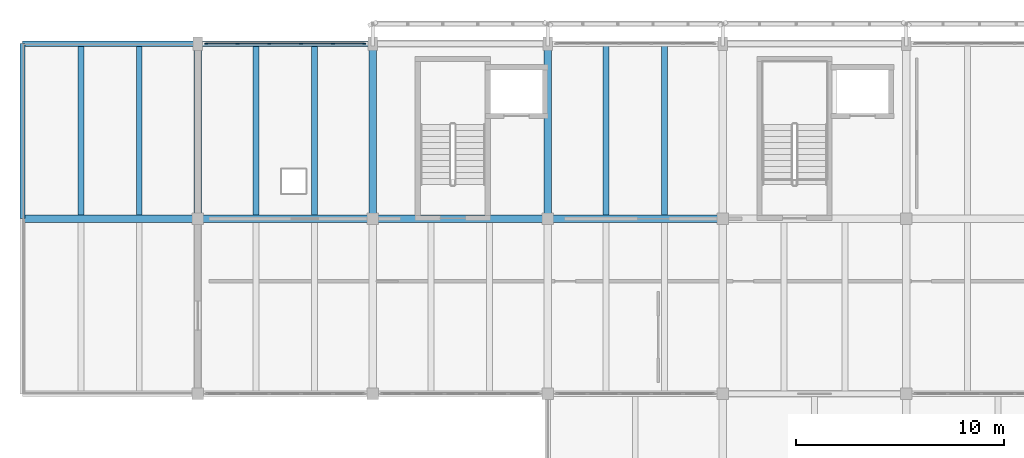
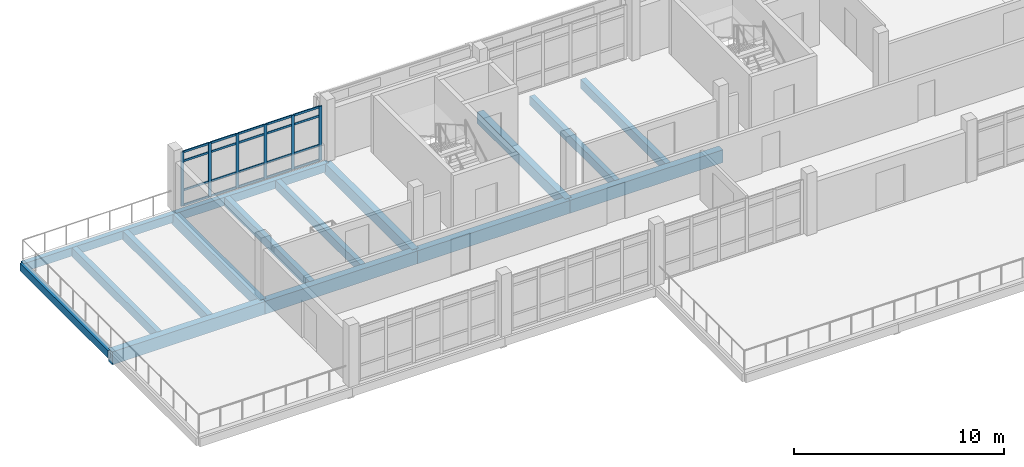
# One storey, part 5 of 30: 26 members, 16 beams, 1 element without a shape of its own.
"""IFC4 building model written with IfcOpenShell, lengths in metres."""

from ifc_helpers import new_model, si_unit, direction, frame, origin, origin_2d, place, context, subcontext, project, spatial, rectangle, extrude, material, material_profile, profile_set, type_object, element, aggregate, save


model = new_model("IFC4")

# Units and contexts
model_context = context("Model", 3, precision=1e-05, world=origin(), true_north=direction((0.0, 1.0)))
body_context = subcontext(model_context, "Body", "Model", "MODEL_VIEW")
ifc_project = project(units=[si_unit("LENGTHUNIT", "METRE"), si_unit("AREAUNIT", "SQUARE_METRE"), si_unit("VOLUMEUNIT", "CUBIC_METRE"), si_unit("PLANEANGLEUNIT", "RADIAN"), si_unit("MASSUNIT", "GRAM", prefix="KILO")], contexts=[model_context])

# Site, building, storey
site_placement = place(None, origin())
site = spatial("IfcSite", under=ifc_project, at=site_placement, CompositionType="ELEMENT")
building_placement = place(site_placement, origin())
building = spatial("IfcBuilding", under=site, at=building_placement, Name="Cinderway Yard Community Centre", CompositionType="ELEMENT")
storey_placement = place(building_placement, frame((0.0, 0.0, 16.5)))
storey = spatial("IfcBuildingStorey", under=building, at=storey_placement, Name="L04", CompositionType="ELEMENT", Elevation=16.5)

# Curtain wall, members
ifc_material_1 = material(Name="Aluminium 6063-T6", Category="aluminium")
curtain_wall_type = type_object("IfcCurtainWallType", Name="ENV-CW-TYPE-32", PredefinedType="USERDEFINED", material=ifc_material_1)
curtain_wall_placement = place(storey_placement, origin())
curtain_wall = element("IfcCurtainWall", 1, at=curtain_wall_placement, inside=storey, type_object=curtain_wall_type, Name="V4 Street Curtain Wall ENV-CW-L04-ST-0176", ObjectType="GLAZED CURTAIN WALL", PredefinedType="USERDEFINED")
ifc_material_profile_1 = material_profile(ifc_material_1, rectangle(XDim=0.06005859375, YDim=0.159912109375, at=origin_2d()), Name="Aluminium 6063-T6")
ifc_profile_set_1 = profile_set([ifc_material_profile_1], Name="Aluminium 6063-T6")
member_type_1 = type_object("IfcMemberType", Name="ENV-CW-MULL-150", PredefinedType="MULLION", material=ifc_profile_set_1)
member_1_placement = place(storey_placement, frame((50.409912109375, 115.199951171875, 0.0), z_axis=(0.0, 0.0, 1.0), x_axis=(0.0, 1.0, 0.0)))
member_1 = element("IfcMember", 2, at=member_1_placement, type_object=member_type_1, Name="CW-32 mullion 1", PredefinedType="MULLION", context=body_context, shape_type="SweptSolid", body=[
    extrude(rectangle(XDim=0.06005859375, YDim=0.159912109375, at=origin_2d()), origin(), (0.0, 0.0, 1.0), 3.14990234375),
])
member_2_placement = place(storey_placement, frame((51.907958984375, 115.199951171875, 0.0), z_axis=(0.0, 0.0, 1.0), x_axis=(0.0, 1.0, 0.0)))
member_2 = element("IfcMember", 3, at=member_2_placement, type_object=member_type_1, Name="CW-32 mullion 2", PredefinedType="MULLION", context=body_context, shape_type="SweptSolid", body=[
    extrude(rectangle(XDim=0.06005859375, YDim=0.159912109375, at=origin_2d()), origin(), (0.0, 0.0, 1.0), 3.14990234375),
])
member_3_placement = place(storey_placement, frame((53.43603515625, 115.199951171875, 0.0), z_axis=(0.0, 0.0, 1.0), x_axis=(0.0, 1.0, 0.0)))
member_3 = element("IfcMember", 4, at=member_3_placement, type_object=member_type_1, Name="CW-32 mullion 3", PredefinedType="MULLION", context=body_context, shape_type="SweptSolid", body=[
    extrude(rectangle(XDim=0.06005859375, YDim=0.159912109375, at=origin_2d()), origin(), (0.0, 0.0, 1.0), 3.14990234375),
])
member_4_placement = place(storey_placement, frame((54.964111328125, 115.199951171875, 0.0), z_axis=(0.0, 0.0, 1.0), x_axis=(0.0, 1.0, 0.0)))
member_4 = element("IfcMember", 5, at=member_4_placement, type_object=member_type_1, Name="CW-32 mullion 4", PredefinedType="MULLION", context=body_context, shape_type="SweptSolid", body=[
    extrude(rectangle(XDim=0.06005859375, YDim=0.159912109375, at=origin_2d()), origin(), (0.0, 0.0, 1.0), 3.14990234375),
])
member_5_placement = place(storey_placement, frame((56.491943359375, 115.199951171875, 0.0), z_axis=(0.0, 0.0, 1.0), x_axis=(0.0, 1.0, 0.0)))
member_5 = element("IfcMember", 6, at=member_5_placement, type_object=member_type_1, Name="CW-32 mullion 5", PredefinedType="MULLION", context=body_context, shape_type="SweptSolid", body=[
    extrude(rectangle(XDim=0.06005859375, YDim=0.159912109375, at=origin_2d()), origin(), (0.0, 0.0, 1.0), 3.14990234375),
])
member_6_placement = place(storey_placement, frame((57.989990234375, 115.199951171875, 0.0), z_axis=(0.0, 0.0, 1.0), x_axis=(0.0, 1.0, 0.0)))
member_6 = element("IfcMember", 7, at=member_6_placement, type_object=member_type_1, Name="CW-32 mullion 6", PredefinedType="MULLION", context=body_context, shape_type="SweptSolid", body=[
    extrude(rectangle(XDim=0.06005859375, YDim=0.159912109375, at=origin_2d()), origin(), (0.0, 0.0, 1.0), 3.14990234375),
])
ifc_material_profile_2 = material_profile(ifc_material_1, rectangle(XDim=0.06005859375, YDim=0.1201171875, at=origin_2d()), Name="Aluminium 6063-T6")
ifc_profile_set_2 = profile_set([ifc_material_profile_2], Name="Aluminium 6063-T6")
member_type_2 = type_object("IfcMemberType", Name="ENV-CW-TRAN-110", PredefinedType="USERDEFINED", material=ifc_profile_set_2)
member_7_placement = place(storey_placement, frame((50.43994140625, 115.199951171875, 0.030029296875), z_axis=(1.0, 0.0, 0.0), x_axis=(0.0, 1.0, 0.0)))
member_7 = element("IfcMember", 8, at=member_7_placement, type_object=member_type_2, Name="CW-32 transom 1.1", ObjectType="TRANSOM", PredefinedType="USERDEFINED", context=body_context, shape_type="SweptSolid", body=[
    extrude(rectangle(XDim=0.06005859375, YDim=0.1201171875, at=origin_2d()), origin(), (0.0, 0.0, 1.0), 1.43798828125),
])
member_8_placement = place(storey_placement, frame((50.43994140625, 115.199951171875, 0.89990234375), z_axis=(1.0, 0.0, 0.0), x_axis=(0.0, 1.0, 0.0)))
member_8 = element("IfcMember", 9, at=member_8_placement, type_object=member_type_2, Name="CW-32 transom 1.2", ObjectType="TRANSOM", PredefinedType="USERDEFINED", context=body_context, shape_type="SweptSolid", body=[
    extrude(rectangle(XDim=0.06005859375, YDim=0.1201171875, at=origin_2d()), origin(), (0.0, 0.0, 1.0), 1.43798828125),
])
member_9_placement = place(storey_placement, frame((50.43994140625, 115.199951171875, 2.60009765625), z_axis=(1.0, 0.0, 0.0), x_axis=(0.0, 1.0, 0.0)))
member_9 = element("IfcMember", 10, at=member_9_placement, type_object=member_type_2, Name="CW-32 transom 1.3", ObjectType="TRANSOM", PredefinedType="USERDEFINED", context=body_context, shape_type="SweptSolid", body=[
    extrude(rectangle(XDim=0.06005859375, YDim=0.1201171875, at=origin_2d()), origin(), (0.0, 0.0, 1.0), 1.43798828125),
])
member_10_placement = place(storey_placement, frame((50.43994140625, 115.199951171875, 3.1201171875), z_axis=(1.0, 0.0, 0.0), x_axis=(0.0, 1.0, 0.0)))
member_10 = element("IfcMember", 11, at=member_10_placement, type_object=member_type_2, Name="CW-32 transom 1.4", ObjectType="TRANSOM", PredefinedType="USERDEFINED", context=body_context, shape_type="SweptSolid", body=[
    extrude(rectangle(XDim=0.06005859375, YDim=0.1201171875, at=origin_2d()), origin(), (0.0, 0.0, 1.0), 1.43798828125),
])
member_11_placement = place(storey_placement, frame((51.93798828125, 115.199951171875, 0.030029296875), z_axis=(1.0, 0.0, 0.0), x_axis=(0.0, 1.0, 0.0)))
member_11 = element("IfcMember", 12, at=member_11_placement, type_object=member_type_2, Name="CW-32 transom 2.1", ObjectType="TRANSOM", PredefinedType="USERDEFINED", context=body_context, shape_type="SweptSolid", body=[
    extrude(rectangle(XDim=0.06005859375, YDim=0.1201171875, at=origin_2d()), origin(), (0.0, 0.0, 1.0), 1.468017578125),
])
member_12_placement = place(storey_placement, frame((51.93798828125, 115.199951171875, 0.89990234375), z_axis=(1.0, 0.0, 0.0), x_axis=(0.0, 1.0, 0.0)))
member_12 = element("IfcMember", 13, at=member_12_placement, type_object=member_type_2, Name="CW-32 transom 2.2", ObjectType="TRANSOM", PredefinedType="USERDEFINED", context=body_context, shape_type="SweptSolid", body=[
    extrude(rectangle(XDim=0.06005859375, YDim=0.1201171875, at=origin_2d()), origin(), (0.0, 0.0, 1.0), 1.468017578125),
])
member_13_placement = place(storey_placement, frame((51.93798828125, 115.199951171875, 2.60009765625), z_axis=(1.0, 0.0, 0.0), x_axis=(0.0, 1.0, 0.0)))
member_13 = element("IfcMember", 14, at=member_13_placement, type_object=member_type_2, Name="CW-32 transom 2.3", ObjectType="TRANSOM", PredefinedType="USERDEFINED", context=body_context, shape_type="SweptSolid", body=[
    extrude(rectangle(XDim=0.06005859375, YDim=0.1201171875, at=origin_2d()), origin(), (0.0, 0.0, 1.0), 1.468017578125),
])
member_14_placement = place(storey_placement, frame((51.93798828125, 115.199951171875, 3.1201171875), z_axis=(1.0, 0.0, 0.0), x_axis=(0.0, 1.0, 0.0)))
member_14 = element("IfcMember", 15, at=member_14_placement, type_object=member_type_2, Name="CW-32 transom 2.4", ObjectType="TRANSOM", PredefinedType="USERDEFINED", context=body_context, shape_type="SweptSolid", body=[
    extrude(rectangle(XDim=0.06005859375, YDim=0.1201171875, at=origin_2d()), origin(), (0.0, 0.0, 1.0), 1.468017578125),
])
member_15_placement = place(storey_placement, frame((53.466064453125, 115.199951171875, 0.030029296875), z_axis=(1.0, 0.0, 0.0), x_axis=(0.0, 1.0, 0.0)))
member_15 = element("IfcMember", 16, at=member_15_placement, type_object=member_type_2, Name="CW-32 transom 3.1", ObjectType="TRANSOM", PredefinedType="USERDEFINED", context=body_context, shape_type="SweptSolid", body=[
    extrude(rectangle(XDim=0.06005859375, YDim=0.1201171875, at=origin_2d()), origin(), (0.0, 0.0, 1.0), 1.468017578125),
])
member_16_placement = place(storey_placement, frame((53.466064453125, 115.199951171875, 0.89990234375), z_axis=(1.0, 0.0, 0.0), x_axis=(0.0, 1.0, 0.0)))
member_16 = element("IfcMember", 17, at=member_16_placement, type_object=member_type_2, Name="CW-32 transom 3.2", ObjectType="TRANSOM", PredefinedType="USERDEFINED", context=body_context, shape_type="SweptSolid", body=[
    extrude(rectangle(XDim=0.06005859375, YDim=0.1201171875, at=origin_2d()), origin(), (0.0, 0.0, 1.0), 1.468017578125),
])
member_17_placement = place(storey_placement, frame((53.466064453125, 115.199951171875, 2.60009765625), z_axis=(1.0, 0.0, 0.0), x_axis=(0.0, 1.0, 0.0)))
member_17 = element("IfcMember", 18, at=member_17_placement, type_object=member_type_2, Name="CW-32 transom 3.3", ObjectType="TRANSOM", PredefinedType="USERDEFINED", context=body_context, shape_type="SweptSolid", body=[
    extrude(rectangle(XDim=0.06005859375, YDim=0.1201171875, at=origin_2d()), origin(), (0.0, 0.0, 1.0), 1.468017578125),
])
member_18_placement = place(storey_placement, frame((53.466064453125, 115.199951171875, 3.1201171875), z_axis=(1.0, 0.0, 0.0), x_axis=(0.0, 1.0, 0.0)))
member_18 = element("IfcMember", 19, at=member_18_placement, type_object=member_type_2, Name="CW-32 transom 3.4", ObjectType="TRANSOM", PredefinedType="USERDEFINED", context=body_context, shape_type="SweptSolid", body=[
    extrude(rectangle(XDim=0.06005859375, YDim=0.1201171875, at=origin_2d()), origin(), (0.0, 0.0, 1.0), 1.468017578125),
])
member_19_placement = place(storey_placement, frame((54.993896484375, 115.199951171875, 0.030029296875), z_axis=(1.0, 0.0, 0.0), x_axis=(0.0, 1.0, 0.0)))
member_19 = element("IfcMember", 20, at=member_19_placement, type_object=member_type_2, Name="CW-32 transom 4.1", ObjectType="TRANSOM", PredefinedType="USERDEFINED", context=body_context, shape_type="SweptSolid", body=[
    extrude(rectangle(XDim=0.06005859375, YDim=0.1201171875, at=origin_2d()), origin(), (0.0, 0.0, 1.0), 1.468017578125),
])
member_20_placement = place(storey_placement, frame((54.993896484375, 115.199951171875, 0.89990234375), z_axis=(1.0, 0.0, 0.0), x_axis=(0.0, 1.0, 0.0)))
member_20 = element("IfcMember", 21, at=member_20_placement, type_object=member_type_2, Name="CW-32 transom 4.2", ObjectType="TRANSOM", PredefinedType="USERDEFINED", context=body_context, shape_type="SweptSolid", body=[
    extrude(rectangle(XDim=0.06005859375, YDim=0.1201171875, at=origin_2d()), origin(), (0.0, 0.0, 1.0), 1.468017578125),
])
member_21_placement = place(storey_placement, frame((54.993896484375, 115.199951171875, 2.60009765625), z_axis=(1.0, 0.0, 0.0), x_axis=(0.0, 1.0, 0.0)))
member_21 = element("IfcMember", 22, at=member_21_placement, type_object=member_type_2, Name="CW-32 transom 4.3", ObjectType="TRANSOM", PredefinedType="USERDEFINED", context=body_context, shape_type="SweptSolid", body=[
    extrude(rectangle(XDim=0.06005859375, YDim=0.1201171875, at=origin_2d()), origin(), (0.0, 0.0, 1.0), 1.468017578125),
])
member_22_placement = place(storey_placement, frame((54.993896484375, 115.199951171875, 3.1201171875), z_axis=(1.0, 0.0, 0.0), x_axis=(0.0, 1.0, 0.0)))
member_22 = element("IfcMember", 23, at=member_22_placement, type_object=member_type_2, Name="CW-32 transom 4.4", ObjectType="TRANSOM", PredefinedType="USERDEFINED", context=body_context, shape_type="SweptSolid", body=[
    extrude(rectangle(XDim=0.06005859375, YDim=0.1201171875, at=origin_2d()), origin(), (0.0, 0.0, 1.0), 1.468017578125),
])
member_23_placement = place(storey_placement, frame((56.52197265625, 115.199951171875, 0.030029296875), z_axis=(1.0, 0.0, 0.0), x_axis=(0.0, 1.0, 0.0)))
member_23 = element("IfcMember", 24, at=member_23_placement, type_object=member_type_2, Name="CW-32 transom 5.1", ObjectType="TRANSOM", PredefinedType="USERDEFINED", context=body_context, shape_type="SweptSolid", body=[
    extrude(rectangle(XDim=0.06005859375, YDim=0.1201171875, at=origin_2d()), origin(), (0.0, 0.0, 1.0), 1.43798828125),
])
member_24_placement = place(storey_placement, frame((56.52197265625, 115.199951171875, 0.89990234375), z_axis=(1.0, 0.0, 0.0), x_axis=(0.0, 1.0, 0.0)))
member_24 = element("IfcMember", 25, at=member_24_placement, type_object=member_type_2, Name="CW-32 transom 5.2", ObjectType="TRANSOM", PredefinedType="USERDEFINED", context=body_context, shape_type="SweptSolid", body=[
    extrude(rectangle(XDim=0.06005859375, YDim=0.1201171875, at=origin_2d()), origin(), (0.0, 0.0, 1.0), 1.43798828125),
])
member_25_placement = place(storey_placement, frame((56.52197265625, 115.199951171875, 2.60009765625), z_axis=(1.0, 0.0, 0.0), x_axis=(0.0, 1.0, 0.0)))
member_25 = element("IfcMember", 26, at=member_25_placement, type_object=member_type_2, Name="CW-32 transom 5.3", ObjectType="TRANSOM", PredefinedType="USERDEFINED", context=body_context, shape_type="SweptSolid", body=[
    extrude(rectangle(XDim=0.06005859375, YDim=0.1201171875, at=origin_2d()), origin(), (0.0, 0.0, 1.0), 1.43798828125),
])
member_26_placement = place(storey_placement, frame((56.52197265625, 115.199951171875, 3.1201171875), z_axis=(1.0, 0.0, 0.0), x_axis=(0.0, 1.0, 0.0)))
member_26 = element("IfcMember", 27, at=member_26_placement, type_object=member_type_2, Name="CW-32 transom 5.4", ObjectType="TRANSOM", PredefinedType="USERDEFINED", context=body_context, shape_type="SweptSolid", body=[
    extrude(rectangle(XDim=0.06005859375, YDim=0.1201171875, at=origin_2d()), origin(), (0.0, 0.0, 1.0), 1.43798828125),
])
aggregate(curtain_wall, [member_1, member_2, member_3, member_4, member_5, member_6, member_7, member_8, member_9, member_10, member_11, member_12, member_13, member_14, member_15, member_16, member_17, member_18, member_19, member_20, member_21, member_22, member_23, member_24, member_25, member_26])

# Beams
ifc_material_2 = material(Name="Concrete C40/50", Category="concrete")
ifc_material_profile_3 = material_profile(ifc_material_2, rectangle(XDim=0.25, YDim=0.449951171875, at=origin_2d()), Name="Concrete C40/50")
ifc_profile_set_3 = profile_set([ifc_material_profile_3], Name="Concrete C40/50")
beam_type_1 = type_object("IfcBeamType", Name="STR-BM-RC250X450", PredefinedType="SPANDREL", material=ifc_profile_set_3)
beam_1_placement = place(storey_placement, frame((41.60009765625, 106.800048828125, -0.445068359375), z_axis=(0.0, 1.0, 0.0), x_axis=(-1.0, 0.0, 0.0)))
element("IfcBeam", 28, at=beam_1_placement, inside=storey, type_object=beam_type_1, Name="Transverse girder STR-BM-L04-SP02-0844", PredefinedType="SPANDREL", context=body_context, shape_type="SweptSolid", body=[
    extrude(rectangle(XDim=0.25, YDim=0.449951171875, at=origin_2d()), origin(), (0.0, 0.0, 1.0), 8.39990234375),
])
ifc_material_profile_4 = material_profile(ifc_material_2, rectangle(XDim=0.260009765625, YDim=0.47998046875, at=origin_2d()), Name="Concrete C40/50")
ifc_profile_set_4 = profile_set([ifc_material_profile_4], Name="Concrete C40/50")
beam_type_2 = type_object("IfcBeamType", Name="STR-BM-RC260X480", PredefinedType="SPANDREL", material=ifc_profile_set_4)
for number, where, z_axis, x_axis, name in (
    (29, (41.60009765625, 115.199951171875, -0.4599609375), (1.0, 0.0, 0.0), (0.0, 1.0, 0.0), "Primary girder STR-BM-L04-SP01-0832"),
    (30, (50.0, 115.199951171875, -0.4599609375), (1.0, 0.0, 0.0), (0.0, 1.0, 0.0), "Primary girder STR-BM-L04-SP01-0833"),
):
    element("IfcBeam", number, at=place(storey_placement, frame(where, z_axis=z_axis, x_axis=x_axis)), inside=storey, type_object=beam_type_2, Name=name, PredefinedType="SPANDREL", context=body_context, shape_type="SweptSolid", body=[
        extrude(rectangle(XDim=0.260009765625, YDim=0.47998046875, at=origin_2d()), origin(), (0.0, 0.0, 1.0), 8.39990234375),
    ])
ifc_material_3 = material(Name="Concrete C35/45", Category="concrete")
ifc_material_profile_5 = material_profile(ifc_material_3, rectangle(XDim=0.280029296875, YDim=0.52001953125, at=origin_2d()), Name="Concrete C35/45")
ifc_profile_set_5 = profile_set([ifc_material_profile_5], Name="Concrete C35/45")
beam_type_3 = type_object("IfcBeamType", Name="STR-BM-RC280X520", PredefinedType="JOIST", material=ifc_profile_set_5)
for number, where, z_axis, x_axis, name in (
    (31, (44.39990234375, 106.971923828125, -0.47998046875), (0.0, 1.0, 0.0), (-1.0, 0.0, 0.0), "Secondary joist STR-BM-L04-BJ04-0869"),
    (32, (47.199951171875, 106.971923828125, -0.47998046875), (0.0, 1.0, 0.0), (-1.0, 0.0, 0.0), "Secondary joist STR-BM-L04-BJ04-0870"),
    (33, (52.800048828125, 106.971923828125, -0.47998046875), (0.0, 1.0, 0.0), (-1.0, 0.0, 0.0), "Secondary joist STR-BM-L04-BJ04-0873"),
    (34, (55.60009765625, 106.971923828125, -0.47998046875), (0.0, 1.0, 0.0), (-1.0, 0.0, 0.0), "Secondary joist STR-BM-L04-BJ04-0874"),
    (35, (69.60009765625, 106.971923828125, -0.47998046875), (0.0, 1.0, 0.0), (-1.0, 0.0, 0.0), "Secondary joist STR-BM-L04-BJ04-0879"),
    (36, (72.39990234375, 106.971923828125, -0.47998046875), (0.0, 1.0, 0.0), (-1.0, 0.0, 0.0), "Secondary joist STR-BM-L04-BJ04-0880"),
):
    element("IfcBeam", number, at=place(storey_placement, frame(where, z_axis=z_axis, x_axis=x_axis)), inside=storey, type_object=beam_type_3, Name=name, PredefinedType="JOIST", context=body_context, shape_type="SweptSolid", body=[
        extrude(rectangle(XDim=0.280029296875, YDim=0.52001953125, at=origin_2d()), origin(), (0.0, 0.0, 1.0), 8.115966796875),
    ])
ifc_material_profile_6 = material_profile(ifc_material_3, rectangle(XDim=0.35009765625, YDim=0.64990234375, at=origin_2d()), Name="Concrete C35/45")
ifc_profile_set_6 = profile_set([ifc_material_profile_6], Name="Concrete C35/45")
beam_type_4 = type_object("IfcBeamType", Name="STR-BM-RC350X650", PredefinedType="BEAM", material=ifc_profile_set_6)
for number, where, z_axis, x_axis, name in (
    (37, (50.0, 106.800048828125, -0.544921875), (0.0, 1.0, 0.0), (-1.0, 0.0, 0.0), "Transverse girder STR-BM-L04-BG08-0846"),
    (38, (58.39990234375, 106.800048828125, -0.544921875), (0.0, 1.0, 0.0), (-1.0, 0.0, 0.0), "Transverse girder STR-BM-L04-BG08-0848"),
    (39, (66.800048828125, 106.800048828125, -0.544921875), (0.0, 1.0, 0.0), (-1.0, 0.0, 0.0), "Transverse girder STR-BM-L04-BG08-0850"),
):
    element("IfcBeam", number, at=place(storey_placement, frame(where, z_axis=z_axis, x_axis=x_axis)), inside=storey, type_object=beam_type_4, Name=name, PredefinedType="BEAM", context=body_context, shape_type="SweptSolid", body=[
        extrude(rectangle(XDim=0.35009765625, YDim=0.64990234375, at=origin_2d()), origin(), (0.0, 0.0, 1.0), 8.39990234375),
    ])
ifc_material_profile_7 = material_profile(ifc_material_3, rectangle(XDim=0.3798828125, YDim=0.75, at=origin_2d()), Name="Concrete C35/45")
ifc_profile_set_7 = profile_set([ifc_material_profile_7], Name="Concrete C35/45")
beam_type_5 = type_object("IfcBeamType", Name="STR-BM-RC380X750", PredefinedType="BEAM", material=ifc_profile_set_7)
for number, where, z_axis, x_axis, name in (
    (40, (41.60009765625, 106.800048828125, -0.594970703125), (1.0, 0.0, 0.0), (0.0, 1.0, 0.0), "Primary girder STR-BM-L04-BG06-0821"),
    (41, (50.0, 106.800048828125, -0.594970703125), (1.0, 0.0, 0.0), (0.0, 1.0, 0.0), "Primary girder STR-BM-L04-BG06-0822"),
):
    element("IfcBeam", number, at=place(storey_placement, frame(where, z_axis=z_axis, x_axis=x_axis)), inside=storey, type_object=beam_type_5, Name=name, PredefinedType="BEAM", context=body_context, shape_type="SweptSolid", body=[
        extrude(rectangle(XDim=0.3798828125, YDim=0.75, at=origin_2d()), origin(), (0.0, 0.0, 1.0), 8.39990234375),
    ])
beam_2_placement = place(storey_placement, frame((58.39990234375, 106.800048828125, -0.594970703125), z_axis=(1.0, 0.0, 0.0), x_axis=(0.0, 1.0, 0.0)))
element("IfcBeam", 42, at=beam_2_placement, inside=storey, type_object=beam_type_5, Name="Primary girder STR-BM-L04-BG06-0823", PredefinedType="BEAM", context=body_context, shape_type="SweptSolid", body=[
    extrude(rectangle(XDim=0.3798828125, YDim=0.75, at=origin_2d()), origin(), (0.0, 0.0, 1.0), 8.400146484375),
])
beam_3_placement = place(storey_placement, frame((66.800048828125, 106.800048828125, -0.594970703125), z_axis=(1.0, 0.0, 0.0), x_axis=(0.0, 1.0, 0.0)))
element("IfcBeam", 43, at=beam_3_placement, inside=storey, type_object=beam_type_5, Name="Primary girder STR-BM-L04-BG06-0824", PredefinedType="BEAM", context=body_context, shape_type="SweptSolid", body=[
    extrude(rectangle(XDim=0.3798828125, YDim=0.75, at=origin_2d()), origin(), (0.0, 0.0, 1.0), 8.39990234375),
])

save(model, "model.ifc")
